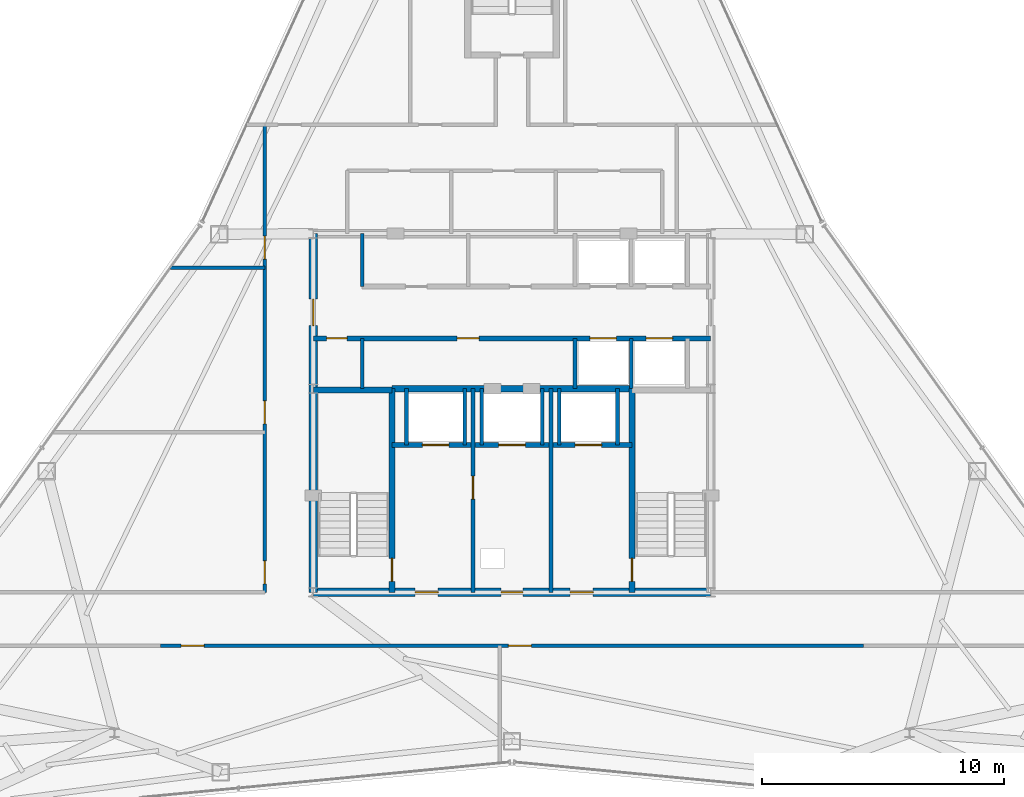
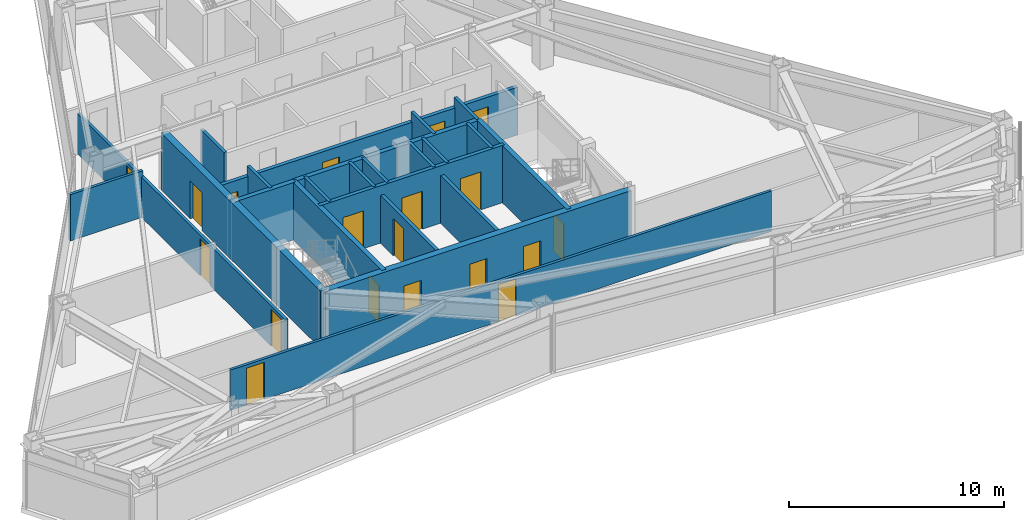
# One storey, part 9 of 12: 23 walls, 19 doors, 19 openings.
"""IFC4 building model written with IfcOpenShell, lengths in metres."""

from ifc_helpers import new_model, si_unit, direction, frame, frame_2d, origin, place, context, subcontext, project, spatial, rectangle, extrude, material, layer, layer_set, type_object, element, fill, save


model = new_model("IFC4")

# Units and contexts
model_context = context("Model", 3, precision=1e-05, world=origin(), true_north=direction((0.0, 1.0)))
body_context = subcontext(model_context, "Body", "Model", "MODEL_VIEW")
ifc_project = project(units=[si_unit("LENGTHUNIT", "METRE"), si_unit("AREAUNIT", "SQUARE_METRE"), si_unit("VOLUMEUNIT", "CUBIC_METRE"), si_unit("PLANEANGLEUNIT", "RADIAN"), si_unit("MASSUNIT", "GRAM", prefix="KILO")], contexts=[model_context])

# Site, building, storey
site_placement = place(None, origin())
site = spatial("IfcSite", under=ifc_project, at=site_placement, CompositionType="ELEMENT")
building_placement = place(site_placement, origin())
building = spatial("IfcBuilding", under=site, at=building_placement, Name="Varakhsha Concourse Tower", CompositionType="ELEMENT")
storey_placement = place(building_placement, frame((0.0, 0.0, 243.39990234375)))
storey = spatial("IfcBuildingStorey", under=building, at=storey_placement, Name="L69", CompositionType="ELEMENT", Elevation=243.39990234375)

# Wall, openings, doors
ifc_material_1 = material(Name="Concrete fc 65 MPa", Category="concrete")
ifc_layer_1 = layer(ifc_material_1, 0.35009765625, Name="WL-CORE-350")
ifc_layer_set_1 = layer_set([ifc_layer_1], Name="Concrete fc 65 MPa")
wall_type_1 = type_object("IfcWallType", Name="WL-CORE-350", PredefinedType="SHEAR", material=ifc_layer_set_1)
wall_1_placement = place(storey_placement, frame((31.800048828125, 16.39990234375, 0.0), z_axis=(0.0, 0.0, 1.0), x_axis=(1.0, 0.0, 0.0)))
wall_1 = element("IfcWall", 1, at=wall_1_placement, inside=storey, type_object=wall_type_1, Name="L69 Wall CWALL-S-L69", PredefinedType="SHEAR", context=body_context, shape_type="SweptSolid", body=[
    extrude(rectangle(XDim=16.39990234375, YDim=0.35009765625, at=frame_2d((8.199951171875, 0.0))), origin(), (0.0, 0.0, 1.0), 3.25),
])
opening_1_placement = place(wall_1_placement, frame((7.75, 0.0, 0.0)))
opening_1 = element("IfcOpeningElement", 2, at=opening_1_placement, cuts=wall_1, Name="Opening DF-06", PredefinedType="OPENING", context=body_context, shape_type="SweptSolid", body=[
    extrude(rectangle(XDim=0.89990234375, YDim=2.10009765625, at=frame_2d((0.449951171875, 1.050048828125))), frame((0.0, 0.18505859375, 0.0), z_axis=(0.0, -1.0, 0.0), x_axis=(1.0, 0.0, 0.0)), (0.0, 0.0, 1.0), 0.3701171875),
])
opening_2_placement = place(wall_1_placement, frame((4.199951171875, 0.0, 0.0)))
opening_2 = element("IfcOpeningElement", 3, at=opening_2_placement, cuts=wall_1, Name="Opening DF-05", PredefinedType="OPENING", context=body_context, shape_type="SweptSolid", body=[
    extrude(rectangle(XDim=0.949951171875, YDim=2.10009765625, at=frame_2d((0.47509765625, 1.050048828125))), frame((0.0, 0.18505859375, 0.0), z_axis=(0.0, -1.0, 0.0), x_axis=(1.0, 0.0, 0.0)), (0.0, 0.0, 1.0), 0.3701171875),
])
opening_3_placement = place(wall_1_placement, frame((10.60009765625, 0.0, 0.0)))
opening_3 = element("IfcOpeningElement", 4, at=opening_3_placement, cuts=wall_1, Name="Opening DF-05", PredefinedType="OPENING", context=body_context, shape_type="SweptSolid", body=[
    extrude(rectangle(XDim=0.949951171875, YDim=2.10009765625, at=frame_2d((0.47509765625, 1.050048828125))), frame((0.0, 0.18505859375, 0.0), z_axis=(0.0, -1.0, 0.0), x_axis=(1.0, 0.0, 0.0)), (0.0, 0.0, 1.0), 0.3701171875),
])
ifc_material_2 = material(Name="Hollow Galvanised Steel Fire Door Assembly", Category="steel")
door_type_1 = type_object("IfcDoorType", Name="DR-FD60-900", OperationType="NOTDEFINED", PredefinedType="DOOR", material=ifc_material_2)
door_1_placement = place(opening_1_placement, origin())
door_1 = element("IfcDoor", 5, at=door_1_placement, inside=storey, type_object=door_type_1, Name="L69 Service Riser Vestibule Door", OperationType="SINGLE_SWING_LEFT", OverallHeight=2.10009765625, OverallWidth=0.89990234375, PredefinedType="DOOR", context=body_context, shape_type="SweptSolid", body=[
    extrude(rectangle(XDim=0.89990234375, YDim=2.10009765625, at=frame_2d((0.449951171875, 1.050048828125))), frame((0.0, 0.02490234375, 0.0), z_axis=(0.0, -1.0, 0.0), x_axis=(1.0, 0.0, 0.0)), (0.0, 0.0, 1.0), 0.050048828125),
])
fill(opening_1, door_1)
door_type_2 = type_object("IfcDoorType", Name="DR-FD60-950", OperationType="NOTDEFINED", PredefinedType="DOOR", material=ifc_material_2)
door_2_placement = place(opening_2_placement, origin())
door_2 = element("IfcDoor", 6, at=door_2_placement, inside=storey, type_object=door_type_2, Name="L69 Firefighting Lobby West Door", OperationType="SINGLE_SWING_RIGHT", OverallHeight=2.10009765625, OverallWidth=0.949951171875, PredefinedType="DOOR", context=body_context, shape_type="SweptSolid", body=[
    extrude(rectangle(XDim=0.949951171875, YDim=2.10009765625, at=frame_2d((0.47509765625, 1.050048828125))), frame((0.0, 0.02490234375, 0.0), z_axis=(0.0, -1.0, 0.0), x_axis=(1.0, 0.0, 0.0)), (0.0, 0.0, 1.0), 0.050048828125),
])
fill(opening_2, door_2)
door_3_placement = place(opening_3_placement, origin())
door_3 = element("IfcDoor", 7, at=door_3_placement, inside=storey, type_object=door_type_2, Name="L69 Firefighting Lobby East Door", OperationType="SINGLE_SWING_LEFT", OverallHeight=2.10009765625, OverallWidth=0.949951171875, PredefinedType="DOOR", context=body_context, shape_type="SweptSolid", body=[
    extrude(rectangle(XDim=0.949951171875, YDim=2.10009765625, at=frame_2d((0.47509765625, 1.050048828125))), frame((0.0, 0.02490234375, 0.0), z_axis=(0.0, -1.0, 0.0), x_axis=(1.0, 0.0, 0.0)), (0.0, 0.0, 1.0), 0.050048828125),
])
fill(opening_3, door_3)

# Wall, opening, door
wall_2_placement = place(storey_placement, frame((31.800048828125, 16.39990234375, 0.0), z_axis=(0.0, 0.0, 1.0), x_axis=(0.0, 1.0, 0.0)))
wall_2 = element("IfcWall", 8, at=wall_2_placement, inside=storey, type_object=wall_type_1, Name="L69 Wall CWALL-W-L69", PredefinedType="SHEAR", context=body_context, shape_type="SweptSolid", body=[
    extrude(rectangle(XDim=14.800048828125, YDim=0.35009765625, at=frame_2d((7.39990234375, 0.0))), origin(), (0.0, 0.0, 1.0), 3.25),
])
opening_4_placement = place(wall_2_placement, frame((11.0, 0.0, 0.0)))
opening_4 = element("IfcOpeningElement", 9, at=opening_4_placement, cuts=wall_2, Name="Opening DL-01", PredefinedType="OPENING", context=body_context, shape_type="SweptSolid", body=[
    extrude(rectangle(XDim=1.10009765625, YDim=2.14990234375, at=frame_2d((0.550048828125, 1.074951171875))), frame((0.0, 0.18505859375, 0.0), z_axis=(0.0, -1.0, 0.0), x_axis=(1.0, 0.0, 0.0)), (0.0, 0.0, 1.0), 0.3701171875),
])
ifc_material_3 = material(Name="Anodised Bronze Architectural Aluminium AA 6063-T6", Category="aluminium")
door_type_3 = type_object("IfcDoorType", Name="DR-LOB-1100", OperationType="NOTDEFINED", PredefinedType="DOOR", material=ifc_material_3)
door_4_placement = place(opening_4_placement, origin())
door_4 = element("IfcDoor", 10, at=door_4_placement, inside=storey, type_object=door_type_3, Name="L69 Lift Lobby West Concourse Door", OperationType="SINGLE_SWING_LEFT", OverallHeight=2.14990234375, OverallWidth=1.10009765625, PredefinedType="DOOR", context=body_context, shape_type="SweptSolid", body=[
    extrude(rectangle(XDim=1.10009765625, YDim=2.14990234375, at=frame_2d((0.550048828125, 1.074951171875))), frame((0.0, 0.02490234375, 0.0), z_axis=(0.0, -1.0, 0.0), x_axis=(1.0, 0.0, 0.0)), (0.0, 0.0, 1.0), 0.050048828125),
])
fill(opening_4, door_4)

ifc_material_4 = material(Name="Fire-Rated Type X Gypsum Partition Assembly", Category="gypsum")
ifc_layer_2 = layer(ifc_material_4, 0.179931640625, Name="WL-FFLOB-180")
ifc_layer_set_2 = layer_set([ifc_layer_2], Name="Fire-Rated Type X Gypsum Partition Assembly")
wall_type_2 = type_object("IfcWallType", Name="WL-FFLOB-180", PredefinedType="PARTITIONING", material=ifc_layer_set_2)
wall_3_placement = place(storey_placement, frame((38.389892578125, 16.39990234375, 0.0), z_axis=(0.0, 0.0, 1.0), x_axis=(0.0, 1.0, 0.0)))
wall_3 = element("IfcWall", 11, at=wall_3_placement, inside=storey, type_object=wall_type_2, Name="L69 Wall FFW-1E-L69", PredefinedType="PARTITIONING", context=body_context, shape_type="SweptSolid", body=[
    extrude(rectangle(XDim=8.400146484375, YDim=0.179931640625, at=frame_2d((4.2001953125, 0.0))), origin(), (0.0, 0.0, 1.0), 2.705078125),
])
opening_5_placement = place(wall_3_placement, frame((3.85009765625, 0.0, 0.0)))
opening_5 = element("IfcOpeningElement", 12, at=opening_5_placement, cuts=wall_3, Name="Opening DF-05", PredefinedType="OPENING", context=body_context, shape_type="SweptSolid", body=[
    extrude(rectangle(XDim=0.949951171875, YDim=2.10009765625, at=frame_2d((0.47509765625, 1.050048828125))), frame((0.0, 0.099853515625, 0.0), z_axis=(0.0, -1.0, 0.0), x_axis=(1.0, 0.0, 0.0)), (0.0, 0.0, 1.0), 0.199951171875),
])
door_5_placement = place(opening_5_placement, origin())
door_5 = element("IfcDoor", 13, at=door_5_placement, inside=storey, type_object=door_type_2, Name="L69 Service Vestibule Door", OperationType="SINGLE_SWING_RIGHT", OverallHeight=2.10009765625, OverallWidth=0.949951171875, PredefinedType="DOOR", context=body_context, shape_type="SweptSolid", body=[
    extrude(rectangle(XDim=0.949951171875, YDim=2.10009765625, at=frame_2d((0.47509765625, 1.050048828125))), frame((0.0, 0.02490234375, 0.0), z_axis=(0.0, -1.0, 0.0), x_axis=(1.0, 0.0, 0.0)), (0.0, 0.0, 1.0), 0.050048828125),
])
fill(opening_5, door_5)

# Wall
wall_4_placement = place(storey_placement, frame((41.610107421875, 16.39990234375, 0.0), z_axis=(0.0, 0.0, 1.0), x_axis=(0.0, 1.0, 0.0)))
element("IfcWall", 14, at=wall_4_placement, inside=storey, type_object=wall_type_2, Name="L69 Wall FFW-2W-L69", PredefinedType="PARTITIONING", context=body_context, shape_type="SweptSolid", body=[
    extrude(rectangle(XDim=8.400146484375, YDim=0.179931640625, at=frame_2d((4.2001953125, 0.0))), origin(), (0.0, 0.0, 1.0), 2.705078125),
])

# Wall, openings, doors
ifc_layer_3 = layer(ifc_material_4, 0.14990234375, Name="WL-PART-150")
ifc_layer_set_3 = layer_set([ifc_layer_3], Name="Fire-Rated Type X Gypsum Partition Assembly")
wall_type_3 = type_object("IfcWallType", Name="WL-PART-150", PredefinedType="PARTITIONING", material=ifc_layer_set_3)
wall_5_placement = place(storey_placement, frame((29.800048828125, 16.39990234375, 0.0), z_axis=(0.0, 0.0, 1.0), x_axis=(0.0, 1.0, 0.0)))
wall_5 = element("IfcWall", 15, at=wall_5_placement, inside=storey, type_object=wall_type_3, Name="L69 Wall CRW-W-L69", PredefinedType="PARTITIONING", context=body_context, shape_type="SweptSolid", body=[
    extrude(rectangle(XDim=19.300048828125, YDim=0.14990234375, at=frame_2d((9.64990234375, 0.0))), origin(), (0.0, 0.0, 1.0), 2.2919921875),
])
opening_6_placement = place(wall_5_placement, frame((0.35009765625, 0.0, 0.0)))
opening_6 = element("IfcOpeningElement", 16, at=opening_6_placement, cuts=wall_5, Name="Opening DF-05", PredefinedType="OPENING", context=body_context, shape_type="SweptSolid", body=[
    extrude(rectangle(XDim=0.949951171875, YDim=2.10009765625, at=frame_2d((0.47509765625, 1.050048828125))), frame((0.0, 0.0849609375, 0.0), z_axis=(0.0, -1.0, 0.0), x_axis=(1.0, 0.0, 0.0)), (0.0, 0.0, 1.0), 0.169921875),
])
opening_7_placement = place(wall_5_placement, frame((6.949951171875, 0.0, 0.0)))
opening_7 = element("IfcOpeningElement", 17, at=opening_7_placement, cuts=wall_5, Name="Opening DF-05", PredefinedType="OPENING", context=body_context, shape_type="SweptSolid", body=[
    extrude(rectangle(XDim=0.949951171875, YDim=2.10009765625, at=frame_2d((0.47509765625, 1.050048828125))), frame((0.0, 0.0849609375, 0.0), z_axis=(0.0, -1.0, 0.0), x_axis=(1.0, 0.0, 0.0)), (0.0, 0.0, 1.0), 0.169921875),
])
opening_8_placement = place(wall_5_placement, frame((13.75, 0.0, 0.0)))
opening_8 = element("IfcOpeningElement", 18, at=opening_8_placement, cuts=wall_5, Name="Opening DF-05", PredefinedType="OPENING", context=body_context, shape_type="SweptSolid", body=[
    extrude(rectangle(XDim=0.949951171875, YDim=2.10009765625, at=frame_2d((0.47509765625, 1.050048828125))), frame((0.0, 0.0849609375, 0.0), z_axis=(0.0, -1.0, 0.0), x_axis=(1.0, 0.0, 0.0)), (0.0, 0.0, 1.0), 0.169921875),
])
door_6_placement = place(opening_6_placement, origin())
door_6 = element("IfcDoor", 19, at=door_6_placement, inside=storey, type_object=door_type_2, Name="L69 Client Briefing Studio L69 Door", OperationType="SINGLE_SWING_LEFT", OverallHeight=2.10009765625, OverallWidth=0.949951171875, PredefinedType="DOOR", context=body_context, shape_type="SweptSolid", body=[
    extrude(rectangle(XDim=0.949951171875, YDim=2.10009765625, at=frame_2d((0.47509765625, 1.050048828125))), frame((0.0, 0.02490234375, 0.0), z_axis=(0.0, -1.0, 0.0), x_axis=(1.0, 0.0, 0.0)), (0.0, 0.0, 1.0), 0.050048828125),
])
fill(opening_6, door_6)
door_7_placement = place(opening_7_placement, origin())
door_7 = element("IfcDoor", 20, at=door_7_placement, inside=storey, type_object=door_type_2, Name="L69 Strategic Advisory Office Suite L69-W2 Door", OperationType="SINGLE_SWING_RIGHT", OverallHeight=2.10009765625, OverallWidth=0.949951171875, PredefinedType="DOOR", context=body_context, shape_type="SweptSolid", body=[
    extrude(rectangle(XDim=0.949951171875, YDim=2.10009765625, at=frame_2d((0.47509765625, 1.050048828125))), frame((0.0, 0.02490234375, 0.0), z_axis=(0.0, -1.0, 0.0), x_axis=(1.0, 0.0, 0.0)), (0.0, 0.0, 1.0), 0.050048828125),
])
fill(opening_7, door_7)
door_8_placement = place(opening_8_placement, origin())
door_8 = element("IfcDoor", 21, at=door_8_placement, inside=storey, type_object=door_type_2, Name="L69 Strategic Advisory Office Suite L69-W3 Door", OperationType="SINGLE_SWING_LEFT", OverallHeight=2.10009765625, OverallWidth=0.949951171875, PredefinedType="DOOR", context=body_context, shape_type="SweptSolid", body=[
    extrude(rectangle(XDim=0.949951171875, YDim=2.10009765625, at=frame_2d((0.47509765625, 1.050048828125))), frame((0.0, 0.02490234375, 0.0), z_axis=(0.0, -1.0, 0.0), x_axis=(1.0, 0.0, 0.0)), (0.0, 0.0, 1.0), 0.050048828125),
])
fill(opening_8, door_8)

wall_6_placement = place(storey_placement, frame((25.5, 14.199951171875, 0.0), z_axis=(0.0, 0.0, 1.0), x_axis=(1.0, 0.0, 0.0)))
wall_6 = element("IfcWall", 22, at=wall_6_placement, inside=storey, type_object=wall_type_3, Name="L69 Wall CRW-S-DOOR-L69", PredefinedType="PARTITIONING", context=body_context, shape_type="SweptSolid", body=[
    extrude(rectangle(XDim=29.0, YDim=0.14990234375, at=frame_2d((14.5, 0.0))), origin(), (0.0, 0.0, 1.0), 2.2919921875),
])
opening_9_placement = place(wall_6_placement, frame((0.85009765625, 0.0, 0.0)))
opening_9 = element("IfcOpeningElement", 23, at=opening_9_placement, cuts=wall_6, Name="Opening DF-05", PredefinedType="OPENING", context=body_context, shape_type="SweptSolid", body=[
    extrude(rectangle(XDim=0.949951171875, YDim=2.10009765625, at=frame_2d((0.47509765625, 1.050048828125))), frame((0.0, 0.0849609375, 0.0), z_axis=(0.0, -1.0, 0.0), x_axis=(1.0, 0.0, 0.0)), (0.0, 0.0, 1.0), 0.169921875),
])
opening_10_placement = place(wall_6_placement, frame((14.35009765625, 0.0, 0.0)))
opening_10 = element("IfcOpeningElement", 24, at=opening_10_placement, cuts=wall_6, Name="Opening DF-05", PredefinedType="OPENING", context=body_context, shape_type="SweptSolid", body=[
    extrude(rectangle(XDim=0.949951171875, YDim=2.10009765625, at=frame_2d((0.47509765625, 1.050048828125))), frame((0.0, 0.0849609375, 0.0), z_axis=(0.0, -1.0, 0.0), x_axis=(1.0, 0.0, 0.0)), (0.0, 0.0, 1.0), 0.169921875),
])
door_9_placement = place(opening_9_placement, origin())
door_9 = element("IfcDoor", 25, at=door_9_placement, inside=storey, type_object=door_type_2, Name="L69 Project Controls Workroom L69-S1 Door", OperationType="SINGLE_SWING_LEFT", OverallHeight=2.10009765625, OverallWidth=0.949951171875, PredefinedType="DOOR", context=body_context, shape_type="SweptSolid", body=[
    extrude(rectangle(XDim=0.949951171875, YDim=2.10009765625, at=frame_2d((0.47509765625, 1.050048828125))), frame((0.0, 0.02490234375, 0.0), z_axis=(0.0, -1.0, 0.0), x_axis=(1.0, 0.0, 0.0)), (0.0, 0.0, 1.0), 0.050048828125),
])
fill(opening_9, door_9)
door_10_placement = place(opening_10_placement, origin())
door_10 = element("IfcDoor", 26, at=door_10_placement, inside=storey, type_object=door_type_2, Name="L69 Strategic Advisory Office Suite L69-S2 Door", OperationType="SINGLE_SWING_RIGHT", OverallHeight=2.10009765625, OverallWidth=0.949951171875, PredefinedType="DOOR", context=body_context, shape_type="SweptSolid", body=[
    extrude(rectangle(XDim=0.949951171875, YDim=2.10009765625, at=frame_2d((0.47509765625, 1.050048828125))), frame((0.0, 0.02490234375, 0.0), z_axis=(0.0, -1.0, 0.0), x_axis=(1.0, 0.0, 0.0)), (0.0, 0.0, 1.0), 0.050048828125),
])
fill(opening_10, door_10)

# Wall
wall_7_placement = place(storey_placement, frame((25.90771484375, 29.800048828125, 0.0), z_axis=(0.0, 0.0, 1.0), x_axis=(1.0, 0.0, 0.0)))
element("IfcWall", 27, at=wall_7_placement, inside=storey, type_object=wall_type_3, Name="L69 Wall ODIV-W2-L69", PredefinedType="PARTITIONING", context=body_context, shape_type="SweptSolid", body=[
    extrude(rectangle(XDim=3.892333984375, YDim=0.14990234375, at=frame_2d((1.9462890625, 0.0))), origin(), (0.0, 0.0, 1.0), 2.628173828125),
])

# Wall, openings, doors
ifc_layer_4 = layer(ifc_material_4, 0.199951171875, Name="WL-SHAFT-220")
ifc_layer_set_4 = layer_set([ifc_layer_4], Name="Fire-Rated Type X Gypsum Partition Assembly")
wall_type_4 = type_object("IfcWallType", Name="WL-SHAFT-220", PredefinedType="SOLIDWALL", material=ifc_layer_set_4)
wall_8_placement = place(storey_placement, frame((35.044921875, 22.47998046875, 0.0), z_axis=(0.0, 0.0, 1.0), x_axis=(1.0, 0.0, 0.0)))
wall_8 = element("IfcWall", 28, at=wall_8_placement, inside=storey, type_object=wall_type_4, Name="L69 Wall FFW-NH-L69", PredefinedType="SOLIDWALL", context=body_context, shape_type="SweptSolid", body=[
    extrude(rectangle(XDim=9.91015625, YDim=0.199951171875, at=frame_2d((4.955078125, 0.0))), origin(), (0.0, 0.0, 1.0), 3.25),
])
opening_11_placement = place(wall_8_placement, frame((1.2548828125, 0.0, 0.0)))
opening_11 = element("IfcOpeningElement", 29, at=opening_11_placement, cuts=wall_8, Name="Opening LD-FFL-1", PredefinedType="OPENING", context=body_context, shape_type="SweptSolid", body=[
    extrude(rectangle(XDim=1.10009765625, YDim=2.14990234375, at=frame_2d((0.550048828125, 1.074951171875))), frame((0.0, 0.10986328125, 0.0), z_axis=(0.0, -1.0, 0.0), x_axis=(1.0, 0.0, 0.0)), (0.0, 0.0, 1.0), 0.219970703125),
])
opening_12_placement = place(wall_8_placement, frame((7.554931640625, 0.0, 0.0)))
opening_12 = element("IfcOpeningElement", 30, at=opening_12_placement, cuts=wall_8, Name="Opening LD-FFL-2", PredefinedType="OPENING", context=body_context, shape_type="SweptSolid", body=[
    extrude(rectangle(XDim=1.10009765625, YDim=2.14990234375, at=frame_2d((0.550048828125, 1.074951171875))), frame((0.0, 0.10986328125, 0.0), z_axis=(0.0, -1.0, 0.0), x_axis=(1.0, 0.0, 0.0)), (0.0, 0.0, 1.0), 0.219970703125),
])
opening_13_placement = place(wall_8_placement, frame((4.405029296875, 0.0, 0.0)))
opening_13 = element("IfcOpeningElement", 31, at=opening_13_placement, cuts=wall_8, Name="Opening LD-SVL-1", PredefinedType="OPENING", context=body_context, shape_type="SweptSolid", body=[
    extrude(rectangle(XDim=1.10009765625, YDim=2.14990234375, at=frame_2d((0.550048828125, 1.074951171875))), frame((0.0, 0.10986328125, 0.0), z_axis=(0.0, -1.0, 0.0), x_axis=(1.0, 0.0, 0.0)), (0.0, 0.0, 1.0), 0.219970703125),
])
ifc_material_5 = material(Name="Brushed Austenitic Stainless Steel AISI 316", Category="steel")
door_type_4 = type_object("IfcDoorType", Name="DR-LD-1100", OperationType="DOUBLE_DOOR_SLIDING", PredefinedType="DOOR", material=ifc_material_5)
door_11_placement = place(opening_11_placement, origin())
door_11 = element("IfcDoor", 32, at=door_11_placement, inside=storey, type_object=door_type_4, Name="Lift Landing Door FFL-1 L69", OperationType="DOUBLE_DOOR_SLIDING", OverallHeight=2.14990234375, OverallWidth=1.10009765625, PredefinedType="DOOR", context=body_context, shape_type="SweptSolid", body=[
    extrude(rectangle(XDim=1.10009765625, YDim=2.14990234375, at=frame_2d((0.550048828125, 1.074951171875))), frame((0.0, 0.02490234375, 0.0), z_axis=(0.0, -1.0, 0.0), x_axis=(1.0, 0.0, 0.0)), (0.0, 0.0, 1.0), 0.050048828125),
])
fill(opening_11, door_11)
door_12_placement = place(opening_12_placement, origin())
door_12 = element("IfcDoor", 33, at=door_12_placement, inside=storey, type_object=door_type_4, Name="Lift Landing Door FFL-2 L69", OperationType="DOUBLE_DOOR_SLIDING", OverallHeight=2.14990234375, OverallWidth=1.10009765625, PredefinedType="DOOR", context=body_context, shape_type="SweptSolid", body=[
    extrude(rectangle(XDim=1.10009765625, YDim=2.14990234375, at=frame_2d((0.550048828125, 1.074951171875))), frame((0.0, 0.02490234375, 0.0), z_axis=(0.0, -1.0, 0.0), x_axis=(1.0, 0.0, 0.0)), (0.0, 0.0, 1.0), 0.050048828125),
])
fill(opening_12, door_12)
door_13_placement = place(opening_13_placement, origin())
door_13 = element("IfcDoor", 34, at=door_13_placement, inside=storey, type_object=door_type_4, Name="Lift Landing Door SVL-1 L69", OperationType="DOUBLE_DOOR_SLIDING", OverallHeight=2.14990234375, OverallWidth=1.10009765625, PredefinedType="DOOR", context=body_context, shape_type="SweptSolid", body=[
    extrude(rectangle(XDim=1.10009765625, YDim=2.14990234375, at=frame_2d((0.550048828125, 1.074951171875))), frame((0.0, 0.02490234375, 0.0), z_axis=(0.0, -1.0, 0.0), x_axis=(1.0, 0.0, 0.0)), (0.0, 0.0, 1.0), 0.050048828125),
])
fill(opening_13, door_13)

# Walls
for number, where, z_axis, x_axis, name in (
    (35, (35.64990234375, 22.47998046875, 0.0), (0.0, 0.0, 1.0), (0.0, 1.0, 0.0), "L69 Wall SHW-FFL-1-W-L69"),
    (36, (38.050048828125, 22.47998046875, 0.0), (0.0, 0.0, 1.0), (0.0, 1.0, 0.0), "L69 Wall SHW-FFL-1-E-L69"),
    (37, (41.949951171875, 22.47998046875, 0.0), (0.0, 0.0, 1.0), (0.0, 1.0, 0.0), "L69 Wall SHW-FFL-2-W-L69"),
    (38, (44.35009765625, 22.47998046875, 0.0), (0.0, 0.0, 1.0), (0.0, 1.0, 0.0), "L69 Wall SHW-FFL-2-E-L69"),
    (39, (38.75, 22.47998046875, 0.0), (0.0, 0.0, 1.0), (0.0, 1.0, 0.0), "L69 Wall SHW-SVL-1-W-L69"),
    (40, (41.25, 22.47998046875, 0.0), (0.0, 0.0, 1.0), (0.0, 1.0, 0.0), "L69 Wall SHW-SVL-1-E-L69"),
):
    element("IfcWall", number, at=place(storey_placement, frame(where, z_axis=z_axis, x_axis=x_axis)), inside=storey, type_object=wall_type_4, Name=name, PredefinedType="SOLIDWALL", context=body_context, shape_type="SweptSolid", body=[
        extrude(rectangle(XDim=2.320068359375, YDim=0.159912109375, at=frame_2d((1.16015625, 0.0))), origin(), (0.0, 0.0, 1.0), 3.25),
    ])

# Wall, openings, doors
wall_9_placement = place(storey_placement, frame((31.800048828125, 26.8798828125, 0.0), z_axis=(0.0, 0.0, 1.0), x_axis=(1.0, 0.0, 0.0)))
wall_9 = element("IfcWall", 41, at=wall_9_placement, inside=storey, type_object=wall_type_4, Name="L69 Wall PLW-S-L69", PredefinedType="SOLIDWALL", context=body_context, shape_type="SweptSolid", body=[
    extrude(rectangle(XDim=16.39990234375, YDim=0.199951171875, at=frame_2d((8.199951171875, 0.0))), origin(), (0.0, 0.0, 1.0), 2.705078125),
])
opening_14_placement = place(wall_9_placement, frame((0.550048828125, 0.0, 0.0)))
opening_14 = element("IfcOpeningElement", 42, at=opening_14_placement, cuts=wall_9, Name="Opening DF-07", PredefinedType="OPENING", context=body_context, shape_type="SweptSolid", body=[
    extrude(rectangle(XDim=0.85009765625, YDim=2.050048828125, at=frame_2d((0.425048828125, 1.02490234375))), frame((0.0, 0.10986328125, 0.0), z_axis=(0.0, -1.0, 0.0), x_axis=(1.0, 0.0, 0.0)), (0.0, 0.0, 1.0), 0.219970703125),
])
opening_15_placement = place(wall_9_placement, frame((5.93994140625, 0.0, 0.0)))
opening_15 = element("IfcOpeningElement", 43, at=opening_15_placement, cuts=wall_9, Name="Opening DF-06", PredefinedType="OPENING", context=body_context, shape_type="SweptSolid", body=[
    extrude(rectangle(XDim=0.89990234375, YDim=2.10009765625, at=frame_2d((0.449951171875, 1.050048828125))), frame((0.0, 0.10986328125, 0.0), z_axis=(0.0, -1.0, 0.0), x_axis=(1.0, 0.0, 0.0)), (0.0, 0.0, 1.0), 0.219970703125),
])
opening_16_placement = place(wall_9_placement, frame((11.409912109375, 0.0, 0.0)))
opening_16 = element("IfcOpeningElement", 44, at=opening_16_placement, cuts=wall_9, Name="Opening LD-LF-P11", PredefinedType="OPENING", context=body_context, shape_type="SweptSolid", body=[
    extrude(rectangle(XDim=1.10009765625, YDim=2.14990234375, at=frame_2d((0.550048828125, 1.074951171875))), frame((0.0, 0.10986328125, 0.0), z_axis=(0.0, -1.0, 0.0), x_axis=(1.0, 0.0, 0.0)), (0.0, 0.0, 1.0), 0.219970703125),
])
opening_17_placement = place(wall_9_placement, frame((13.72998046875, 0.0, 0.0)))
opening_17 = element("IfcOpeningElement", 45, at=opening_17_placement, cuts=wall_9, Name="Opening LD-LF-P12", PredefinedType="OPENING", context=body_context, shape_type="SweptSolid", body=[
    extrude(rectangle(XDim=1.10009765625, YDim=2.14990234375, at=frame_2d((0.550048828125, 1.074951171875))), frame((0.0, 0.10986328125, 0.0), z_axis=(0.0, -1.0, 0.0), x_axis=(1.0, 0.0, 0.0)), (0.0, 0.0, 1.0), 0.219970703125),
])
door_type_5 = type_object("IfcDoorType", Name="DR-FD60-850", OperationType="NOTDEFINED", PredefinedType="DOOR", material=ifc_material_2)
door_14_placement = place(opening_14_placement, origin())
door_14 = element("IfcDoor", 46, at=door_14_placement, inside=storey, type_object=door_type_5, Name="L69 Core Telecoms Closet Door", OperationType="SINGLE_SWING_RIGHT", OverallHeight=2.050048828125, OverallWidth=0.85009765625, PredefinedType="DOOR", context=body_context, shape_type="SweptSolid", body=[
    extrude(rectangle(XDim=0.85009765625, YDim=2.050048828125, at=frame_2d((0.425048828125, 1.02490234375))), frame((0.0, 0.02490234375, 0.0), z_axis=(0.0, -1.0, 0.0), x_axis=(1.0, 0.0, 0.0)), (0.0, 0.0, 1.0), 0.050048828125),
])
fill(opening_14, door_14)
door_15_placement = place(opening_15_placement, origin())
door_15 = element("IfcDoor", 47, at=door_15_placement, inside=storey, type_object=door_type_1, Name="L69 Executive Pantry and Copy Suite Door", OperationType="SINGLE_SWING_RIGHT", OverallHeight=2.10009765625, OverallWidth=0.89990234375, PredefinedType="DOOR", context=body_context, shape_type="SweptSolid", body=[
    extrude(rectangle(XDim=0.89990234375, YDim=2.10009765625, at=frame_2d((0.449951171875, 1.050048828125))), frame((0.0, 0.02490234375, 0.0), z_axis=(0.0, -1.0, 0.0), x_axis=(1.0, 0.0, 0.0)), (0.0, 0.0, 1.0), 0.050048828125),
])
fill(opening_15, door_15)
door_16_placement = place(opening_16_placement, origin())
door_16 = element("IfcDoor", 48, at=door_16_placement, inside=storey, type_object=door_type_4, Name="Lift Landing Door LF-P11 L69", OperationType="DOUBLE_DOOR_SLIDING", OverallHeight=2.14990234375, OverallWidth=1.10009765625, PredefinedType="DOOR", context=body_context, shape_type="SweptSolid", body=[
    extrude(rectangle(XDim=1.10009765625, YDim=2.14990234375, at=frame_2d((0.550048828125, 1.074951171875))), frame((0.0, 0.02490234375, 0.0), z_axis=(0.0, -1.0, 0.0), x_axis=(1.0, 0.0, 0.0)), (0.0, 0.0, 1.0), 0.050048828125),
])
fill(opening_16, door_16)
door_17_placement = place(opening_17_placement, origin())
door_17 = element("IfcDoor", 49, at=door_17_placement, inside=storey, type_object=door_type_4, Name="Lift Landing Door LF-P12 L69", OperationType="DOUBLE_DOOR_SLIDING", OverallHeight=2.14990234375, OverallWidth=1.10009765625, PredefinedType="DOOR", context=body_context, shape_type="SweptSolid", body=[
    extrude(rectangle(XDim=1.10009765625, YDim=2.14990234375, at=frame_2d((0.550048828125, 1.074951171875))), frame((0.0, 0.02490234375, 0.0), z_axis=(0.0, -1.0, 0.0), x_axis=(1.0, 0.0, 0.0)), (0.0, 0.0, 1.0), 0.050048828125),
])
fill(opening_17, door_17)

# Walls
wall_10_placement = place(storey_placement, frame((33.820068359375, 29.02001953125, 0.0), z_axis=(0.0, 0.0, 1.0), x_axis=(0.0, 1.0, 0.0)))
element("IfcWall", 50, at=wall_10_placement, inside=storey, type_object=wall_type_4, Name="L69 Wall WBOH-E1-L69", PredefinedType="SOLIDWALL", context=body_context, shape_type="SweptSolid", body=[
    extrude(rectangle(XDim=2.179931640625, YDim=0.159912109375, at=frame_2d((1.08984375, 0.0))), origin(), (0.0, 0.0, 1.0), 2.705078125),
])
for number, where, z_axis, x_axis, name in (
    (51, (33.820068359375, 24.800048828125, 0.0), (0.0, 0.0, 1.0), (0.0, 1.0, 0.0), "L69 Wall WBOH-E2-L69"),
    (52, (42.60009765625, 24.800048828125, 0.0), (0.0, 0.0, 1.0), (0.0, 1.0, 0.0), "L69 Wall SHW-LF-P11-W-L69"),
    (53, (44.919921875, 24.800048828125, 0.0), (0.0, 0.0, 1.0), (0.0, 1.0, 0.0), "L69 Wall SHW-LF-P11-E-L69"),
):
    element("IfcWall", number, at=place(storey_placement, frame(where, z_axis=z_axis, x_axis=x_axis)), inside=storey, type_object=wall_type_4, Name=name, PredefinedType="SOLIDWALL", context=body_context, shape_type="SweptSolid", body=[
        extrude(rectangle(XDim=2.079833984375, YDim=0.159912109375, at=frame_2d((1.0400390625, 0.0))), origin(), (0.0, 0.0, 1.0), 3.25),
    ])

# Wall, opening, door
ifc_material_6 = material(Name="Concrete fc 45 MPa", Category="concrete")
ifc_layer_5 = layer(ifc_material_6, 0.25, Name="WL-STAIR-250")
ifc_layer_set_5 = layer_set([ifc_layer_5], Name="Concrete fc 45 MPa")
wall_type_5 = type_object("IfcWallType", Name="WL-STAIR-250", PredefinedType="SHEAR", material=ifc_layer_set_5)
wall_11_placement = place(storey_placement, frame((35.044921875, 16.39990234375, 0.0), z_axis=(0.0, 0.0, 1.0), x_axis=(0.0, 1.0, 0.0)))
wall_11 = element("IfcWall", 54, at=wall_11_placement, inside=storey, type_object=wall_type_5, Name="L69 Wall SWALL-ST1-E-L69", PredefinedType="SHEAR", context=body_context, shape_type="SweptSolid", body=[
    extrude(rectangle(XDim=8.400146484375, YDim=0.25, at=frame_2d((4.2001953125, 0.0))), origin(), (0.0, 0.0, 1.0), 3.25),
])
opening_18_placement = place(wall_11_placement, frame((0.449951171875, 0.0, 0.0)))
opening_18 = element("IfcOpeningElement", 55, at=opening_18_placement, cuts=wall_11, Name="Opening DF-03", PredefinedType="OPENING", context=body_context, shape_type="SweptSolid", body=[
    extrude(rectangle(XDim=0.949951171875, YDim=2.10009765625, at=frame_2d((0.47509765625, 1.050048828125))), frame((0.0, 0.135009765625, 0.0), z_axis=(0.0, -1.0, 0.0), x_axis=(1.0, 0.0, 0.0)), (0.0, 0.0, 1.0), 0.27001953125),
])
door_type_6 = type_object("IfcDoorType", Name="DR-FD90-950", OperationType="NOTDEFINED", PredefinedType="DOOR", material=ifc_material_2)
door_18_placement = place(opening_18_placement, origin())
door_18 = element("IfcDoor", 56, at=door_18_placement, inside=storey, type_object=door_type_6, Name="L69 Stair ST1 Fire Door", OperationType="SINGLE_SWING_LEFT", OverallHeight=2.10009765625, OverallWidth=0.949951171875, PredefinedType="DOOR", context=body_context, shape_type="SweptSolid", body=[
    extrude(rectangle(XDim=0.949951171875, YDim=2.10009765625, at=frame_2d((0.47509765625, 1.050048828125))), frame((0.0, 0.02490234375, 0.0), z_axis=(0.0, -1.0, 0.0), x_axis=(1.0, 0.0, 0.0)), (0.0, 0.0, 1.0), 0.050048828125),
])
fill(opening_18, door_18)

# Wall
wall_12_placement = place(storey_placement, frame((31.800048828125, 24.7548828125, 0.0), z_axis=(0.0, 0.0, 1.0), x_axis=(1.0, 0.0, 0.0)))
element("IfcWall", 57, at=wall_12_placement, inside=storey, type_object=wall_type_5, Name="L69 Wall SWALL-ST1-N-L69", PredefinedType="SHEAR", context=body_context, shape_type="SweptSolid", body=[
    extrude(rectangle(XDim=3.244873046875, YDim=0.25, at=frame_2d((1.62255859375, 0.0))), origin(), (0.0, 0.0, 1.0), 3.25),
])

# Wall, opening, door
wall_13_placement = place(storey_placement, frame((44.955078125, 16.39990234375, 0.0), z_axis=(0.0, 0.0, 1.0), x_axis=(0.0, 1.0, 0.0)))
wall_13 = element("IfcWall", 58, at=wall_13_placement, inside=storey, type_object=wall_type_5, Name="L69 Wall SWALL-ST2-W-L69", PredefinedType="SHEAR", context=body_context, shape_type="SweptSolid", body=[
    extrude(rectangle(XDim=8.400146484375, YDim=0.25, at=frame_2d((4.2001953125, 0.0))), origin(), (0.0, 0.0, 1.0), 3.25),
])
opening_19_placement = place(wall_13_placement, frame((0.449951171875, 0.0, 0.0)))
opening_19 = element("IfcOpeningElement", 59, at=opening_19_placement, cuts=wall_13, Name="Opening DF-03", PredefinedType="OPENING", context=body_context, shape_type="SweptSolid", body=[
    extrude(rectangle(XDim=0.949951171875, YDim=2.10009765625, at=frame_2d((0.47509765625, 1.050048828125))), frame((0.0, 0.135009765625, 0.0), z_axis=(0.0, -1.0, 0.0), x_axis=(1.0, 0.0, 0.0)), (0.0, 0.0, 1.0), 0.27001953125),
])
door_19_placement = place(opening_19_placement, origin())
door_19 = element("IfcDoor", 60, at=door_19_placement, inside=storey, type_object=door_type_6, Name="L69 Stair ST2 Fire Door", OperationType="SINGLE_SWING_RIGHT", OverallHeight=2.10009765625, OverallWidth=0.949951171875, PredefinedType="DOOR", context=body_context, shape_type="SweptSolid", body=[
    extrude(rectangle(XDim=0.949951171875, YDim=2.10009765625, at=frame_2d((0.47509765625, 1.050048828125))), frame((0.0, 0.02490234375, 0.0), z_axis=(0.0, -1.0, 0.0), x_axis=(1.0, 0.0, 0.0)), (0.0, 0.0, 1.0), 0.050048828125),
])
fill(opening_19, door_19)

# Wall
wall_14_placement = place(storey_placement, frame((35.044921875, 24.800048828125, 0.0), z_axis=(0.0, 0.0, 1.0), x_axis=(1.0, 0.0, 0.0)))
element("IfcWall", 61, at=wall_14_placement, inside=storey, type_object=wall_type_5, Name="L69 Wall SWALL-MID-H-L69", PredefinedType="SHEAR", context=body_context, shape_type="SweptSolid", body=[
    extrude(rectangle(XDim=9.91015625, YDim=0.25, at=frame_2d((4.955078125, 0.0))), origin(), (0.0, 0.0, 1.0), 3.25),
])

save(model, "model.ifc")
